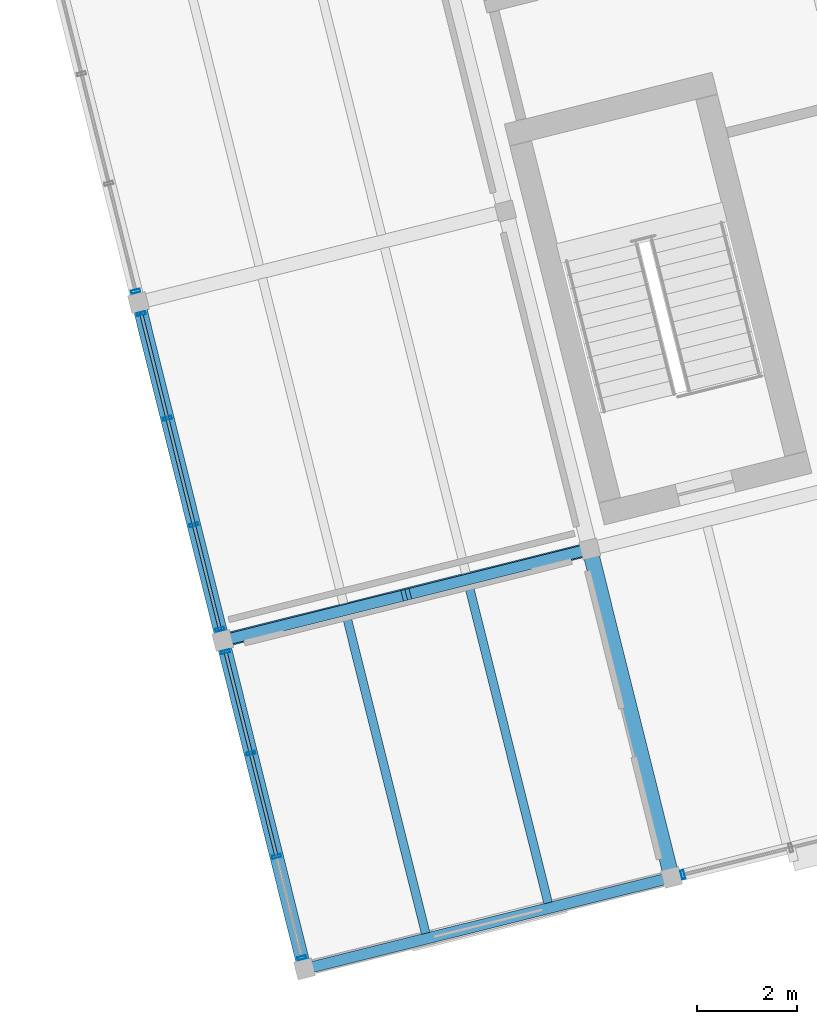
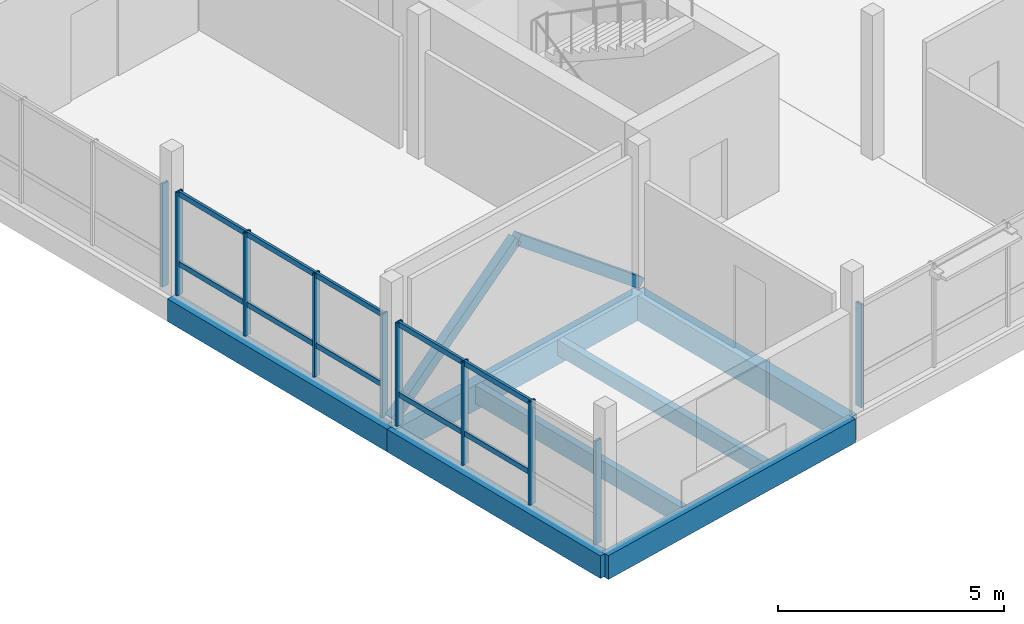
# One storey, part 2 of 28: 22 members, 7 beams, 4 elements without a shape of their own.
"""IFC4 building model written with IfcOpenShell, lengths in metres."""

import ifcopenshell
import ifcopenshell.guid

model = None  # the IFC model being written
_history = None  # IfcOwnerHistory: only IFC2X3 demands one
_inside = {}  # id of a spatial element -> (the spatial element, [elements in it])
_under = {}  # id of a project, library or spatial element -> (it, [spatial elements below it])
_declared = {}  # id of a project -> (the project, [libraries it declares])
_typed = {}  # id of a type object -> (the type object, [elements of that type])
_made_of = {}  # id of a material, layer set ... -> (it, [elements and type objects made of it])


def new_model(schema):
    """Start an empty IFC model of exactly this schema.

    Asked for "IFC4X3", IfcOpenShell would pick the latest addendum, in which some entities
    have other attributes; the version numbers below select the first issue.
    IFC2X3 requires an IfcOwnerHistory on every rooted entity: one is made here for all.
    """
    global model, _history
    if schema == "IFC4X3":
        model = ifcopenshell.file(schema_version=(4, 3, 0, 0))
    else:
        model = ifcopenshell.file(schema=schema)
    _inside.clear()
    _under.clear()
    _declared.clear()
    _typed.clear()
    _made_of.clear()
    _history = None
    if model.schema == "IFC2X3":
        org = make("IfcOrganization", Name="unknown")
        user = make(
            "IfcPersonAndOrganization",
            ThePerson=make("IfcPerson", FamilyName="unknown"),
            TheOrganization=org,
        )
        app = make(
            "IfcApplication",
            ApplicationDeveloper=org,
            Version="unknown",
            ApplicationFullName="unknown",
            ApplicationIdentifier="unknown",
        )
        _history = make(
            "IfcOwnerHistory",
            OwningUser=user,
            OwningApplication=app,
            ChangeAction="ADDED",
            CreationDate=0,
        )
    return model


def make(cls, **values):
    """One entity of the class cls with the attributes given. An attribute that is None is left unset."""
    return model.create_entity(
        cls, **{name: value for name, value in values.items() if value is not None}
    )


def rooted(cls, **values):
    """An entity with a GlobalId (a new one), such as an element, a storey or a relation."""
    return make(cls, GlobalId=ifcopenshell.guid.new(), OwnerHistory=_history, **values)


def si_unit(unit_type, name, prefix=None):
    """IfcSIUnit, for example si_unit("LENGTHUNIT", "METRE", prefix="MILLI")."""
    return make("IfcSIUnit", UnitType=unit_type, Prefix=prefix, Name=name)


def assignment(units):
    """IfcUnitAssignment: the units of a project."""
    return None if units is None else make("IfcUnitAssignment", Units=units)


def point(xyz):
    """IfcCartesianPoint."""
    return None if xyz is None else make("IfcCartesianPoint", Coordinates=xyz)


def direction(xyz):
    """IfcDirection."""
    return None if xyz is None else make("IfcDirection", DirectionRatios=xyz)


def frame(location, z_axis=None, x_axis=None):
    """IfcAxis2Placement3D, a coordinate frame: its origin and axes. An axis left out is left unset."""
    return make(
        "IfcAxis2Placement3D",
        Location=point(location),
        Axis=direction(z_axis),
        RefDirection=direction(x_axis),
    )


def frame_2d(location, x_axis=None):
    """IfcAxis2Placement2D, a coordinate frame in the plane: its origin and x axis."""
    return make(
        "IfcAxis2Placement2D", Location=point(location), RefDirection=direction(x_axis)
    )


def origin():
    """The frame at (0, 0, 0) with its axes left unset."""
    return frame((0.0, 0.0, 0.0))


def origin_2d():
    """The frame at (0, 0) in the plane with its x axis left unset."""
    return frame_2d((0.0, 0.0))


def place(relative_to, where):
    """IfcLocalPlacement: puts the frame where relative to a parent placement (None: the world)."""
    return make(
        "IfcLocalPlacement", PlacementRelTo=relative_to, RelativePlacement=where
    )


def context(
    kind, dimensions, precision=None, world=None, true_north=None, identifier=None
):
    """IfcGeometricRepresentationContext, for example the 3D "Model" context."""
    return make(
        "IfcGeometricRepresentationContext",
        ContextIdentifier=identifier,
        ContextType=kind,
        CoordinateSpaceDimension=dimensions,
        Precision=precision,
        WorldCoordinateSystem=world,
        TrueNorth=true_north,
    )


def subcontext(parent, identifier, kind, view, scale=None):
    """IfcGeometricRepresentationSubContext, for example "Body" below "Model"."""
    return make(
        "IfcGeometricRepresentationSubContext",
        ContextIdentifier=identifier,
        ContextType=kind,
        ParentContext=parent,
        TargetScale=scale,
        TargetView=view,
    )


def project(units=None, contexts=None):
    """IfcProject with its units and contexts."""
    return rooted(
        "IfcProject",
        Name="project",
        RepresentationContexts=contexts,
        UnitsInContext=assignment(units),
    )


def spatial(cls, under=None, at=None, **own):
    """A site, building, storey or space (cls), placed at a placement, below another one or the project."""
    s = rooted(cls, ObjectPlacement=at, **own)
    if under is not None:
        _under.setdefault(under.id(), (under, []))[1].append(s)
    return s


def profile(cls, at=None, kind="AREA", **sizes):
    """A parametric profile (cls). Its sizes go by their IFC names, for example OverallWidth=200.0."""
    return make(cls, ProfileType=kind, Position=at, **sizes)


def rectangle(**sizes):
    """IfcRectangleProfileDef."""
    return profile("IfcRectangleProfileDef", **sizes)


def hollow_rectangle(**sizes):
    """IfcRectangleHollowProfileDef."""
    return profile("IfcRectangleHollowProfileDef", **sizes)


def extrude(swept, where, along, depth):
    """IfcExtrudedAreaSolid: the profile swept, set in the frame where, extruded along a direction by depth."""
    return make(
        "IfcExtrudedAreaSolid",
        SweptArea=swept,
        Position=where,
        ExtrudedDirection=direction(along),
        Depth=depth,
    )


def shape(context_of_items, identifier, shape_type, items):
    """IfcShapeRepresentation: the items that make up one representation, for example the "Body"."""
    return make(
        "IfcShapeRepresentation",
        ContextOfItems=context_of_items,
        RepresentationIdentifier=identifier,
        RepresentationType=shape_type,
        Items=items,
    )


def material(Name=None, Category=None):
    """IfcMaterial."""
    return make("IfcMaterial", Name=Name, Category=Category)


def layer(
    of_material, thickness, ventilated=None, Name=None, Category=None, Priority=None
):
    """IfcMaterialLayer: one layer of a wall or slab, of a material (None: an air gap)."""
    return make(
        "IfcMaterialLayer",
        Material=of_material,
        LayerThickness=thickness,
        IsVentilated=ventilated,
        Name=Name,
        Category=Category,
        Priority=Priority,
    )


def layer_set(layers, Name=None):
    """IfcMaterialLayerSet."""
    return make("IfcMaterialLayerSet", MaterialLayers=layers, LayerSetName=Name)


def material_profile(
    of_material, cross_section, Name=None, Category=None, Priority=None
):
    """IfcMaterialProfile: a cross section and its material."""
    return make(
        "IfcMaterialProfile",
        Name=Name,
        Material=of_material,
        Profile=cross_section,
        Priority=Priority,
        Category=Category,
    )


def profile_set(profiles, Name=None, composite=None):
    """IfcMaterialProfileSet."""
    return make(
        "IfcMaterialProfileSet",
        Name=Name,
        MaterialProfiles=profiles,
        CompositeProfile=composite,
    )


def made_of(thing, what):
    """Note that an element or type object is made of a material, layer set ...; save() writes the relation."""
    if what is not None:
        _made_of.setdefault(what.id(), (what, []))[1].append(thing)
    return thing


def type_object(cls, material=None, **own):
    """A type object (cls), such as IfcWallType, which elements share."""
    return made_of(rooted(cls, **own), material)


def element(
    cls,
    number,
    at=None,
    inside=None,
    cuts=None,
    type_object=None,
    material=None,
    context=None,
    identifier="Body",
    shape_type=None,
    held_by="IfcProductDefinitionShape",
    body=None,
    shapes=None,
    **own,
):
    """One element of the class cls, such as IfcWall. Its Tag is "e" and its number.

    at: its placement. inside: the storey or other place that contains it. cuts: it is an
    opening in that element (IfcRelVoidsElement). A single representation is given by context,
    identifier, shape_type and body (its items); several are given by shapes. held_by: the class
    of the entity that holds the representations. save() writes the other relations.
    """
    e = rooted(cls, Tag="e%d" % number, ObjectPlacement=at, **own)
    if body is not None:
        shapes = [shape(context, identifier, shape_type, body)]
    if shapes is not None:
        e.Representation = make(held_by, Representations=shapes)
    if inside is not None:
        _inside.setdefault(inside.id(), (inside, []))[1].append(e)
    if cuts is not None:
        rooted(
            "IfcRelVoidsElement", RelatingBuildingElement=cuts, RelatedOpeningElement=e
        )
    if type_object is not None:
        _typed.setdefault(type_object.id(), (type_object, []))[1].append(e)
    return made_of(e, material)


def aggregate(whole, parts):
    """IfcRelAggregates: a whole, such as a stair, and the parts it consists of."""
    return rooted("IfcRelAggregates", RelatingObject=whole, RelatedObjects=parts)


def save(model, path):
    """Write the relations noted so far, then the file.

    IfcRelAggregates (storeys below a building ...), IfcRelContainedInSpatialStructure (elements
    in a storey), IfcRelDefinesByType, IfcRelAssociatesMaterial and IfcRelDeclares: one each for
    every whole, place, type object, material and project.
    """
    for whole, parts in _under.values():
        aggregate(whole, parts)
    for where, things in _inside.values():
        rooted(
            "IfcRelContainedInSpatialStructure",
            RelatedElements=things,
            RelatingStructure=where,
        )
    for kind, things in _typed.values():
        rooted("IfcRelDefinesByType", RelatedObjects=things, RelatingType=kind)
    for what, things in _made_of.values():
        rooted("IfcRelAssociatesMaterial", RelatedObjects=things, RelatingMaterial=what)
    for by, libraries in _declared.values():
        rooted("IfcRelDeclares", RelatingContext=by, RelatedDefinitions=libraries)
    model.write(path)


model = new_model("IFC4")

# Units and contexts
model_context = context("Model", 3, precision=1e-05, world=origin(), true_north=direction((0.0, 1.0)))
body_context = subcontext(model_context, "Body", "Model", "MODEL_VIEW")
ifc_project = project(units=[si_unit("LENGTHUNIT", "METRE"), si_unit("AREAUNIT", "SQUARE_METRE"), si_unit("VOLUMEUNIT", "CUBIC_METRE"), si_unit("PLANEANGLEUNIT", "RADIAN"), si_unit("MASSUNIT", "GRAM", prefix="KILO")], contexts=[model_context])

# Site, building, storey
site_placement = place(None, origin())
site = spatial("IfcSite", under=ifc_project, at=site_placement, CompositionType="ELEMENT")
building_placement = place(site_placement, origin())
building = spatial("IfcBuilding", under=site, at=building_placement, Name="Meriwether Solvik Hall", CompositionType="ELEMENT")
storey_placement = place(building_placement, frame((0.0, 0.0, 37.800048828125)))
storey = spatial("IfcBuildingStorey", under=building, at=storey_placement, Name="L09", CompositionType="ELEMENT", Elevation=37.800048828125)

# Beams
ifc_material_1 = material(Name="Glulam Douglas-Fir 24F-V8 GL28h", Category="wood")
ifc_material_profile_1 = material_profile(ifc_material_1, rectangle(XDim=0.221923828125, YDim=0.64501953125, at=origin_2d()), Name="GLB-222X645")
ifc_profile_set_1 = profile_set([ifc_material_profile_1], Name="Glulam Douglas-Fir 24F-V8 GL28h")
beam_type_1 = type_object("IfcBeamType", Name="BM-GL-222X645", PredefinedType="SPANDREL", material=ifc_profile_set_1)
beam_1_placement = place(storey_placement, frame((68.60009765625, 41.199951171875, -0.50244140625), z_axis=(0.970295366785, 0.241923337436, 0.0), x_axis=(-0.241923337436, 0.970295366785, 0.0)))
element("IfcBeam", 1, at=beam_1_placement, inside=storey, type_object=beam_type_1, Name="Tower Girder TA:T1-T2 (L09)", PredefinedType="SPANDREL", context=body_context, shape_type="SweptSolid", body=[
    extrude(rectangle(XDim=0.221923828125, YDim=0.64501953125, at=origin_2d()), origin(), (0.0, 0.0, 1.0), 7.60009765625),
])
ifc_material_2 = material(Name="Glulam Douglas-Fir 24F-V8 GL28h", Category="wood")
ifc_material_profile_2 = material_profile(ifc_material_2, rectangle(XDim=0.27294921875, YDim=0.610107421875, at=origin_2d()), Name="GLB-273X610")
ifc_profile_set_2 = profile_set([ifc_material_profile_2], Name="Glulam Douglas-Fir 24F-V8 GL28h")
beam_type_2 = type_object("IfcBeamType", Name="BM-GL-273X610", PredefinedType="SPANDREL", material=ifc_profile_set_2)
beam_2_placement = place(storey_placement, frame((68.60009765625, 41.199951171875, -0.485107421875), z_axis=(-0.241944251278, 0.970290152106, 0.0), x_axis=(-0.970290152106, -0.241944251278, 0.0)))
element("IfcBeam", 2, at=beam_2_placement, inside=storey, type_object=beam_type_2, Name="Tower Girder T1:TA-TB (L09)", PredefinedType="SPANDREL", context=body_context, shape_type="SweptSolid", body=[
    extrude(rectangle(XDim=0.27294921875, YDim=0.610107421875, at=origin_2d()), origin(), (0.0, 0.0, 1.0), 6.80029296875),
])
beam_3_placement = place(storey_placement, frame((66.954833984375, 47.798095703125, -0.485107421875), z_axis=(-0.241911879182, 0.970298223594, 0.0), x_axis=(-0.970298223594, -0.241911879182, 0.0)))
element("IfcBeam", 3, at=beam_3_placement, inside=storey, type_object=beam_type_2, Name="Tower Girder T1:TB-TC (L09)", PredefinedType="SPANDREL", context=body_context, shape_type="SweptSolid", body=[
    extrude(rectangle(XDim=0.27294921875, YDim=0.610107421875, at=origin_2d()), origin(), (0.0, 0.0, 1.0), 7.0),
])
ifc_material_3 = material(Name="Glulam Douglas-Fir 24F-V8 GL28h", Category="wood")
ifc_material_profile_3 = material_profile(ifc_material_3, rectangle(XDim=0.27294921875, YDim=0.68505859375, at=origin_2d()), Name="GLB-273X685")
ifc_profile_set_3 = profile_set([ifc_material_profile_3], Name="Glulam Douglas-Fir 24F-V8 GL28h")
beam_type_3 = type_object("IfcBeamType", Name="BM-GL-273X685", PredefinedType="BEAM", material=ifc_profile_set_3)
beam_4_placement = place(storey_placement, frame((66.954833984375, 47.798095703125, -0.5224609375), z_axis=(0.970295366785, 0.241923337436, 0.0), x_axis=(-0.241923337436, 0.970295366785, 0.0)))
element("IfcBeam", 4, at=beam_4_placement, inside=storey, type_object=beam_type_3, Name="Tower Girder TB:T1-T2 (L09)", PredefinedType="BEAM", context=body_context, shape_type="SweptSolid", body=[
    extrude(rectangle(XDim=0.27294921875, YDim=0.68505859375, at=origin_2d()), origin(), (0.0, 0.0, 1.0), 7.60009765625),
])
ifc_material_4 = material(Name="Glulam Douglas-Fir 24F-V8 GL28h", Category="wood")
ifc_material_profile_4 = material_profile(ifc_material_4, rectangle(XDim=0.31494140625, YDim=0.68505859375, at=origin_2d()), Name="GLB-315X685")
ifc_profile_set_4 = profile_set([ifc_material_profile_4], Name="Glulam Douglas-Fir 24F-V8 GL28h")
beam_type_4 = type_object("IfcBeamType", Name="BM-GL-315X685", PredefinedType="BEAM", material=ifc_profile_set_4)
beam_5_placement = place(storey_placement, frame((75.974365234375, 43.03857421875, -0.5224609375), z_axis=(-0.241944251278, 0.970290152106, 0.0), x_axis=(-0.970290152106, -0.241944251278, 0.0)))
element("IfcBeam", 5, at=beam_5_placement, inside=storey, type_object=beam_type_4, Name="Tower Girder T2:TA-TB (L09)", PredefinedType="BEAM", context=body_context, shape_type="SweptSolid", body=[
    extrude(rectangle(XDim=0.31494140625, YDim=0.68505859375, at=origin_2d()), origin(), (0.0, 0.0, 1.0), 6.80029296875),
])

# Curtain wall, member
ifc_material_5 = material(Name="Thermally Broken Anodised Aluminium 6063-T6 and Low-E Glass", Category="aluminium")
ifc_layer_1 = layer(ifc_material_5, 0.179931640625)
ifc_layer_set_1 = layer_set([ifc_layer_1], Name="Thermally Broken Anodised Aluminium 6063-T6 and Low-E Glass")
curtain_wall_type_1 = type_object("IfcCurtainWallType", Name="CW-UNIT-A", PredefinedType="USERDEFINED", material=ifc_layer_set_1)
curtain_wall_1_placement = place(storey_placement, origin())
curtain_wall_1 = element("IfcCurtainWall", 6, at=curtain_wall_1_placement, inside=storey, type_object=curtain_wall_type_1, Name="Curtain Wall E0_B1 (L09)", ObjectType="UNITISED CURTAIN WALL", PredefinedType="USERDEFINED")
ifc_material_6 = material(Name="Anodised Aluminium 6063-T6", Category="aluminium")
ifc_material_profile_5 = material_profile(ifc_material_6, hollow_rectangle(XDim=0.06494140625, YDim=0.179931640625, WallThickness=0.00439453125, at=origin_2d()), Name="CWM-65X180")
ifc_profile_set_5 = profile_set([ifc_material_profile_5], Name="Anodised Aluminium 6063-T6")
member_type_1 = type_object("IfcMemberType", Name="CW-MUL-65X180", PredefinedType="MULLION", material=ifc_profile_set_5)
member_1_placement = place(storey_placement, frame((76.199951171875, 43.094970703125, 0.0), z_axis=(0.0, 0.0, 1.0), x_axis=(-0.970295725693, -0.241921897937, 0.0)))
member_1 = element("IfcMember", 7, at=member_1_placement, type_object=member_type_1, Name="Curtain Wall Mullion 4", PredefinedType="MULLION", context=body_context, shape_type="SweptSolid", body=[
    extrude(hollow_rectangle(XDim=0.06494140625, YDim=0.179931640625, WallThickness=0.00439453125, at=origin_2d()), origin(), (0.0, 0.0, 1.0), 2.7900390625),
])
aggregate(curtain_wall_1, [member_1])

# Curtain wall, members
ifc_material_7 = material(Name="Thermally Broken Anodised Aluminium 6063-T6 and Low-E Glass", Category="aluminium")
ifc_layer_2 = layer(ifc_material_7, 0.179931640625)
ifc_layer_set_2 = layer_set([ifc_layer_2], Name="Thermally Broken Anodised Aluminium 6063-T6 and Low-E Glass")
curtain_wall_type_2 = type_object("IfcCurtainWallType", Name="CW-UNIT-G", PredefinedType="USERDEFINED", material=ifc_layer_set_2)
curtain_wall_2_placement = place(storey_placement, origin())
curtain_wall_2 = element("IfcCurtainWall", 8, at=curtain_wall_2_placement, inside=storey, type_object=curtain_wall_type_2, Name="Curtain Wall E7_B0 (L09)", ObjectType="UNITISED CURTAIN WALL", PredefinedType="USERDEFINED")
member_2_placement = place(storey_placement, frame((68.543701171875, 41.425537109375, 0.0), z_axis=(0.0, 0.0, 1.0), x_axis=(-0.241921888555, 0.970295728032, 0.0)))
member_2 = element("IfcMember", 9, at=member_2_placement, type_object=member_type_1, Name="Curtain Wall Mullion 1", PredefinedType="MULLION", context=body_context, shape_type="SweptSolid", body=[
    extrude(hollow_rectangle(XDim=0.06494140625, YDim=0.179931640625, WallThickness=0.00439453125, at=origin_2d()), origin(), (0.0, 0.0, 1.0), 2.7900390625),
])
member_3_placement = place(storey_placement, frame((68.035888671875, 43.462158203125, 0.0), z_axis=(0.0, 0.0, 1.0), x_axis=(-0.241921888555, 0.970295728032, 0.0)))
member_3 = element("IfcMember", 10, at=member_3_placement, type_object=member_type_1, Name="Curtain Wall Mullion 2", PredefinedType="MULLION", context=body_context, shape_type="SweptSolid", body=[
    extrude(hollow_rectangle(XDim=0.06494140625, YDim=0.179931640625, WallThickness=0.00439453125, at=origin_2d()), origin(), (0.0, 0.0, 1.0), 2.7900390625),
])
member_4_placement = place(storey_placement, frame((67.51904296875, 45.535888671875, 0.0), z_axis=(0.0, 0.0, 1.0), x_axis=(-0.241921888555, 0.970295728032, 0.0)))
member_4 = element("IfcMember", 11, at=member_4_placement, type_object=member_type_1, Name="Curtain Wall Mullion 3", PredefinedType="MULLION", context=body_context, shape_type="SweptSolid", body=[
    extrude(hollow_rectangle(XDim=0.06494140625, YDim=0.179931640625, WallThickness=0.00439453125, at=origin_2d()), origin(), (0.0, 0.0, 1.0), 2.7900390625),
])
member_5_placement = place(storey_placement, frame((67.01123046875, 47.572509765625, 0.0), z_axis=(0.0, 0.0, 1.0), x_axis=(-0.241921888555, 0.970295728032, 0.0)))
member_5 = element("IfcMember", 12, at=member_5_placement, type_object=member_type_1, Name="Curtain Wall Mullion 4", PredefinedType="MULLION", context=body_context, shape_type="SweptSolid", body=[
    extrude(hollow_rectangle(XDim=0.06494140625, YDim=0.179931640625, WallThickness=0.00439453125, at=origin_2d()), origin(), (0.0, 0.0, 1.0), 2.7900390625),
])

curtain_wall_3_placement = place(storey_placement, origin())
curtain_wall_3 = element("IfcCurtainWall", 13, at=curtain_wall_3_placement, inside=storey, type_object=curtain_wall_type_1, Name="Curtain Wall E7_B1 (L09)", ObjectType="UNITISED CURTAIN WALL", PredefinedType="USERDEFINED")
member_6_placement = place(storey_placement, frame((66.898681640625, 48.023681640625, 0.0), z_axis=(0.0, 0.0, 1.0), x_axis=(-0.24192176891, 0.970295757863, 0.0)))
member_6 = element("IfcMember", 14, at=member_6_placement, type_object=member_type_1, Name="Curtain Wall Mullion 1", PredefinedType="MULLION", context=body_context, shape_type="SweptSolid", body=[
    extrude(hollow_rectangle(XDim=0.06494140625, YDim=0.179931640625, WallThickness=0.00439453125, at=origin_2d()), origin(), (0.0, 0.0, 1.0), 2.7900390625),
])
member_7_placement = place(storey_placement, frame((66.374755859375, 50.125, 0.0), z_axis=(0.0, 0.0, 1.0), x_axis=(-0.24192176891, 0.970295757863, 0.0)))
member_7 = element("IfcMember", 15, at=member_7_placement, type_object=member_type_1, Name="Curtain Wall Mullion 2", PredefinedType="MULLION", context=body_context, shape_type="SweptSolid", body=[
    extrude(hollow_rectangle(XDim=0.06494140625, YDim=0.179931640625, WallThickness=0.00439453125, at=origin_2d()), origin(), (0.0, 0.0, 1.0), 2.7900390625),
])
member_8_placement = place(storey_placement, frame((65.841552734375, 52.26318359375, 0.0), z_axis=(0.0, 0.0, 1.0), x_axis=(-0.24192176891, 0.970295757863, 0.0)))
member_8 = element("IfcMember", 16, at=member_8_placement, type_object=member_type_1, Name="Curtain Wall Mullion 3", PredefinedType="MULLION", context=body_context, shape_type="SweptSolid", body=[
    extrude(hollow_rectangle(XDim=0.06494140625, YDim=0.179931640625, WallThickness=0.00439453125, at=origin_2d()), origin(), (0.0, 0.0, 1.0), 2.7900390625),
])
member_9_placement = place(storey_placement, frame((65.317626953125, 54.364501953125, 0.0), z_axis=(0.0, 0.0, 1.0), x_axis=(-0.24192176891, 0.970295757863, 0.0)))
member_9 = element("IfcMember", 17, at=member_9_placement, type_object=member_type_1, Name="Curtain Wall Mullion 4", PredefinedType="MULLION", context=body_context, shape_type="SweptSolid", body=[
    extrude(hollow_rectangle(XDim=0.06494140625, YDim=0.179931640625, WallThickness=0.00439453125, at=origin_2d()), origin(), (0.0, 0.0, 1.0), 2.7900390625),
])

# Curtain wall, member
ifc_material_8 = material(Name="Thermally Broken Anodised Aluminium 6063-T6 and Low-E Glass", Category="aluminium")
ifc_layer_3 = layer(ifc_material_8, 0.179931640625)
ifc_layer_set_3 = layer_set([ifc_layer_3], Name="Thermally Broken Anodised Aluminium 6063-T6 and Low-E Glass")
curtain_wall_type_3 = type_object("IfcCurtainWallType", Name="CW-UNIT-B", PredefinedType="USERDEFINED", material=ifc_layer_set_3)
curtain_wall_4_placement = place(storey_placement, origin())
curtain_wall_4 = element("IfcCurtainWall", 18, at=curtain_wall_4_placement, inside=storey, type_object=curtain_wall_type_3, Name="Curtain Wall E7_B2 (L09)", ObjectType="UNITISED CURTAIN WALL", PredefinedType="USERDEFINED")
member_10_placement = place(storey_placement, frame((65.205322265625, 54.815673828125, 0.0), z_axis=(0.0, 0.0, 1.0), x_axis=(-0.241921897937, 0.970295725693, 0.0)))
member_10 = element("IfcMember", 19, at=member_10_placement, type_object=member_type_1, Name="Curtain Wall Mullion 1", PredefinedType="MULLION", context=body_context, shape_type="SweptSolid", body=[
    extrude(hollow_rectangle(XDim=0.06494140625, YDim=0.179931640625, WallThickness=0.00439453125, at=origin_2d()), origin(), (0.0, 0.0, 1.0), 2.7900390625),
])
aggregate(curtain_wall_4, [member_10])

# Member
ifc_material_9 = material(Name="Anodised Aluminium 6063-T6", Category="aluminium")
ifc_material_profile_6 = material_profile(ifc_material_9, hollow_rectangle(XDim=0.06494140625, YDim=0.139892578125, WallThickness=0.00439453125, at=origin_2d()), Name="CWT-65X140")
ifc_profile_set_6 = profile_set([ifc_material_profile_6], Name="Anodised Aluminium 6063-T6")
member_type_2 = type_object("IfcMemberType", Name="CW-TRN-65X140", PredefinedType="USERDEFINED", material=ifc_profile_set_6)
member_11_placement = place(storey_placement, frame((68.035888671875, 43.462158203125, 0.8369140625), z_axis=(-0.241836709188, 0.970316961662, 0.0), x_axis=(-0.970316961662, -0.241836709188, 0.0)))
member_11 = element("IfcMember", 20, at=member_11_placement, type_object=member_type_2, Name="Curtain Wall Transom 2-sill", ObjectType="TRANSOM", PredefinedType="USERDEFINED", context=body_context, shape_type="SweptSolid", body=[
    extrude(hollow_rectangle(XDim=0.06494140625, YDim=0.139892578125, WallThickness=0.00439453125, at=origin_2d()), origin(), (0.0, 0.0, 1.0), 2.13720703125),
])

member_12_placement = place(storey_placement, frame((68.035888671875, 43.462158203125, 2.72998046875), z_axis=(-0.241836709188, 0.970316961662, 0.0), x_axis=(-0.970316961662, -0.241836709188, 0.0)))
member_12 = element("IfcMember", 21, at=member_12_placement, type_object=member_type_2, Name="Curtain Wall Transom 2-head", ObjectType="TRANSOM", PredefinedType="USERDEFINED", context=body_context, shape_type="SweptSolid", body=[
    extrude(hollow_rectangle(XDim=0.06494140625, YDim=0.139892578125, WallThickness=0.00439453125, at=origin_2d()), origin(), (0.0, 0.0, 1.0), 2.13720703125),
])

member_13_placement = place(storey_placement, frame((67.51904296875, 45.535888671875, 0.8369140625), z_axis=(-0.241933481427, 0.970292837531, 0.0), x_axis=(-0.970292837531, -0.241933481427, 0.0)))
member_13 = element("IfcMember", 22, at=member_13_placement, type_object=member_type_2, Name="Curtain Wall Transom 3-sill", ObjectType="TRANSOM", PredefinedType="USERDEFINED", context=body_context, shape_type="SweptSolid", body=[
    extrude(hollow_rectangle(XDim=0.06494140625, YDim=0.139892578125, WallThickness=0.00439453125, at=origin_2d()), origin(), (0.0, 0.0, 1.0), 2.098876953125),
])

member_14_placement = place(storey_placement, frame((67.51904296875, 45.535888671875, 2.72998046875), z_axis=(-0.241933481427, 0.970292837531, 0.0), x_axis=(-0.970292837531, -0.241933481427, 0.0)))
member_14 = element("IfcMember", 23, at=member_14_placement, type_object=member_type_2, Name="Curtain Wall Transom 3-head", ObjectType="TRANSOM", PredefinedType="USERDEFINED", context=body_context, shape_type="SweptSolid", body=[
    extrude(hollow_rectangle(XDim=0.06494140625, YDim=0.139892578125, WallThickness=0.00439453125, at=origin_2d()), origin(), (0.0, 0.0, 1.0), 2.098876953125),
])

aggregate(curtain_wall_2, [member_2, member_3, member_4, member_5, member_11, member_12, member_13, member_14])

member_15_placement = place(storey_placement, frame((66.898681640625, 48.023681640625, 0.8369140625), z_axis=(-0.241925491414, 0.970294829732, 0.0), x_axis=(-0.970294829732, -0.241925491414, 0.0)))
member_15 = element("IfcMember", 24, at=member_15_placement, type_object=member_type_2, Name="Curtain Wall Transom 1-sill", ObjectType="TRANSOM", PredefinedType="USERDEFINED", context=body_context, shape_type="SweptSolid", body=[
    extrude(hollow_rectangle(XDim=0.06494140625, YDim=0.139892578125, WallThickness=0.00439453125, at=origin_2d()), origin(), (0.0, 0.0, 1.0), 2.16552734375),
])

member_16_placement = place(storey_placement, frame((66.898681640625, 48.023681640625, 2.72998046875), z_axis=(-0.241925491414, 0.970294829732, 0.0), x_axis=(-0.970294829732, -0.241925491414, 0.0)))
member_16 = element("IfcMember", 25, at=member_16_placement, type_object=member_type_2, Name="Curtain Wall Transom 1-head", ObjectType="TRANSOM", PredefinedType="USERDEFINED", context=body_context, shape_type="SweptSolid", body=[
    extrude(hollow_rectangle(XDim=0.06494140625, YDim=0.139892578125, WallThickness=0.00439453125, at=origin_2d()), origin(), (0.0, 0.0, 1.0), 2.16552734375),
])

member_17_placement = place(storey_placement, frame((66.374755859375, 50.125, 0.8369140625), z_axis=(-0.241962089235, 0.970285703993, 0.0), x_axis=(-0.970285703993, -0.241962089235, 0.0)))
member_17 = element("IfcMember", 26, at=member_17_placement, type_object=member_type_2, Name="Curtain Wall Transom 2-sill", ObjectType="TRANSOM", PredefinedType="USERDEFINED", context=body_context, shape_type="SweptSolid", body=[
    extrude(hollow_rectangle(XDim=0.06494140625, YDim=0.139892578125, WallThickness=0.00439453125, at=origin_2d()), origin(), (0.0, 0.0, 1.0), 2.20361328125),
])

member_18_placement = place(storey_placement, frame((66.374755859375, 50.125, 2.72998046875), z_axis=(-0.241962089235, 0.970285703993, 0.0), x_axis=(-0.970285703993, -0.241962089235, 0.0)))
member_18 = element("IfcMember", 27, at=member_18_placement, type_object=member_type_2, Name="Curtain Wall Transom 2-head", ObjectType="TRANSOM", PredefinedType="USERDEFINED", context=body_context, shape_type="SweptSolid", body=[
    extrude(hollow_rectangle(XDim=0.06494140625, YDim=0.139892578125, WallThickness=0.00439453125, at=origin_2d()), origin(), (0.0, 0.0, 1.0), 2.20361328125),
])

member_19_placement = place(storey_placement, frame((65.841552734375, 52.26318359375, 0.8369140625), z_axis=(-0.241925491414, 0.970294829732, 0.0), x_axis=(-0.970294829732, -0.241925491414, 0.0)))
member_19 = element("IfcMember", 28, at=member_19_placement, type_object=member_type_2, Name="Curtain Wall Transom 3-sill", ObjectType="TRANSOM", PredefinedType="USERDEFINED", context=body_context, shape_type="SweptSolid", body=[
    extrude(hollow_rectangle(XDim=0.06494140625, YDim=0.139892578125, WallThickness=0.00439453125, at=origin_2d()), origin(), (0.0, 0.0, 1.0), 2.16552734375),
])

member_20_placement = place(storey_placement, frame((65.841552734375, 52.26318359375, 2.72998046875), z_axis=(-0.241925491414, 0.970294829732, 0.0), x_axis=(-0.970294829732, -0.241925491414, 0.0)))
member_20 = element("IfcMember", 29, at=member_20_placement, type_object=member_type_2, Name="Curtain Wall Transom 3-head", ObjectType="TRANSOM", PredefinedType="USERDEFINED", context=body_context, shape_type="SweptSolid", body=[
    extrude(hollow_rectangle(XDim=0.06494140625, YDim=0.139892578125, WallThickness=0.00439453125, at=origin_2d()), origin(), (0.0, 0.0, 1.0), 2.16552734375),
])

aggregate(curtain_wall_3, [member_6, member_7, member_8, member_9, member_15, member_16, member_17, member_18, member_19, member_20])

# Beams
ifc_material_10 = material(Name="Glulam Douglas-Fir 24F-V8 GL28h", Category="wood")
ifc_material_profile_7 = material_profile(ifc_material_10, rectangle(XDim=0.175048828125, YDim=0.419921875, at=origin_2d()), Name="GLJ-175X420")
ifc_profile_set_7 = profile_set([ifc_material_profile_7], Name="Glulam Douglas-Fir 24F-V8 GL28h")
beam_type_5 = type_object("IfcBeamType", Name="JST-GL-175X420", PredefinedType="JOIST", material=ifc_profile_set_7)
beam_6_placement = place(storey_placement, frame((73.490478515625, 42.528564453125, -0.39013671875), z_axis=(-0.241922842305, 0.970295490235, 0.0), x_axis=(-0.970295490235, -0.241922842305, 0.0)))
element("IfcBeam", 30, at=beam_6_placement, inside=storey, type_object=beam_type_5, Name="Glulam Floor Joist T1/TA-J2 (L09)", PredefinedType="JOIST", context=body_context, shape_type="SweptSolid", body=[
    extrude(rectangle(XDim=0.175048828125, YDim=0.419921875, at=origin_2d()), origin(), (0.0, 0.0, 1.0), 6.5625),
])
ifc_material_11 = material(Name="Glulam Douglas-Fir 24F-V8 GL28h", Category="wood")
ifc_material_profile_8 = material_profile(ifc_material_11, rectangle(XDim=0.175048828125, YDim=0.4951171875, at=origin_2d()), Name="GLJ-175X495")
ifc_profile_set_8 = profile_set([ifc_material_profile_8], Name="Glulam Douglas-Fir 24F-V8 GL28h")
beam_type_6 = type_object("IfcBeamType", Name="JST-GL-175X495", PredefinedType="JOIST", material=ifc_profile_set_8)
beam_7_placement = place(storey_placement, frame((71.032470703125, 41.915771484375, -0.427490234375), z_axis=(-0.241931575219, 0.970293312824, 0.0), x_axis=(-0.970293312824, -0.241931575219, 0.0)))
element("IfcBeam", 31, at=beam_7_placement, inside=storey, type_object=beam_type_6, Name="Glulam Floor Joist T1/TA-J1 (L09)", PredefinedType="JOIST", context=body_context, shape_type="SweptSolid", body=[
    extrude(rectangle(XDim=0.175048828125, YDim=0.4951171875, at=origin_2d()), origin(), (0.0, 0.0, 1.0), 6.5625),
])

# Members
ifc_material_12 = material(Name="Glulam Douglas-Fir 24F-V8 GL28h", Category="wood")
ifc_material_profile_9 = material_profile(ifc_material_12, rectangle(XDim=0.221923828125, YDim=0.26708984375, at=origin_2d()), Name="GLM-222X267")
ifc_profile_set_9 = profile_set([ifc_material_profile_9], Name="Glulam Douglas-Fir 24F-V8 GL28h")
member_type_3 = type_object("IfcMemberType", Name="MEM-BR-GL222", PredefinedType="BRACE", material=ifc_profile_set_9)
for number, where, z_axis, x_axis, name in (
    (32, (66.954833984375, 47.798095703125, 0.050048828125), (0.759157605532, 0.189249048853, 0.622787706584), (-0.241885553952, 0.970304786544, 0.0), "Tower Chevron Brace L09-B1A"),
    (33, (74.3291015625, 49.63671875, 0.050048828125), (-0.759129085082, -0.189304736751, 0.622805546561), (0.241961122321, -0.970285945114, 0.0), "Tower Chevron Brace L09-B1B"),
):
    element("IfcMember", number, at=place(storey_placement, frame(where, z_axis=z_axis, x_axis=x_axis)), inside=storey, type_object=member_type_3, Name=name, PredefinedType="BRACE", context=body_context, shape_type="SweptSolid", body=[
        extrude(rectangle(XDim=0.221923828125, YDim=0.26708984375, at=origin_2d()), origin(), (0.0, 0.0, 1.0), 4.85693359375),
    ])

save(model, "model.ifc")
